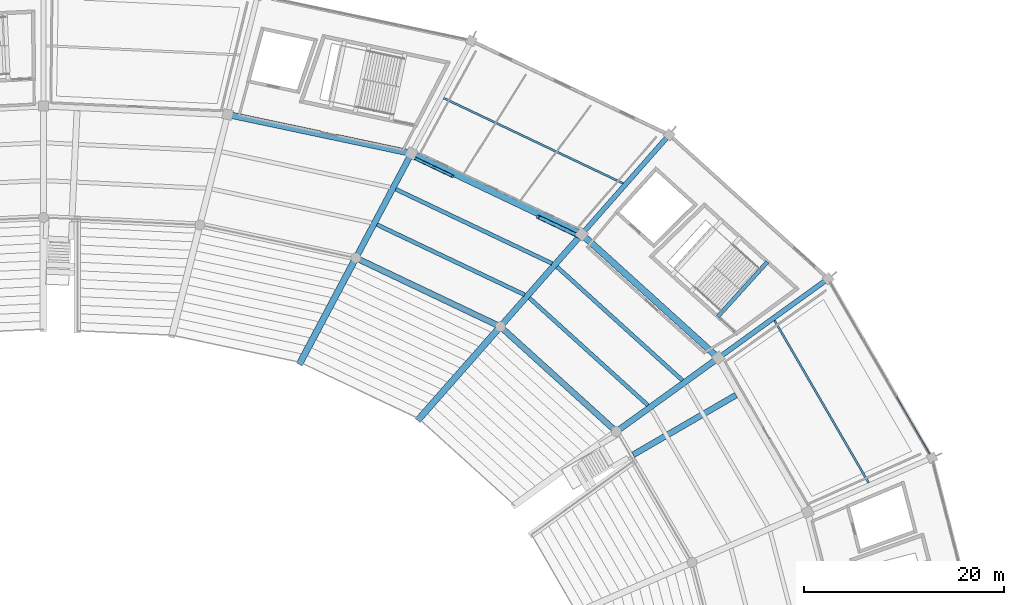
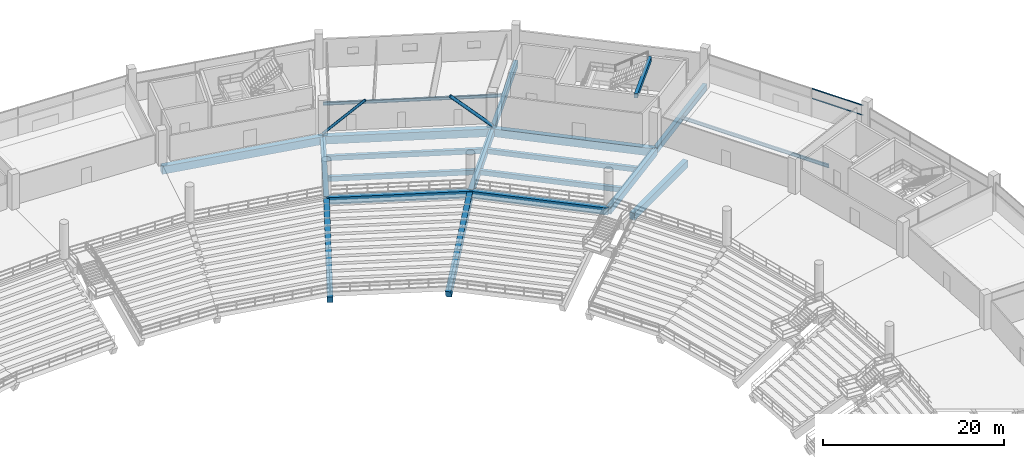
# One storey, part 88 of 156: 20 beams, 4 members, 1 element without a shape of its own.
"""IFC4 building model written with IfcOpenShell, lengths in metres."""

import ifcopenshell
import ifcopenshell.guid

model = None  # the IFC model being written
_history = None  # IfcOwnerHistory: only IFC2X3 demands one
_inside = {}  # id of a spatial element -> (the spatial element, [elements in it])
_under = {}  # id of a project, library or spatial element -> (it, [spatial elements below it])
_declared = {}  # id of a project -> (the project, [libraries it declares])
_typed = {}  # id of a type object -> (the type object, [elements of that type])
_made_of = {}  # id of a material, layer set ... -> (it, [elements and type objects made of it])


def new_model(schema):
    """Start an empty IFC model of exactly this schema.

    Asked for "IFC4X3", IfcOpenShell would pick the latest addendum, in which some entities
    have other attributes; the version numbers below select the first issue.
    IFC2X3 requires an IfcOwnerHistory on every rooted entity: one is made here for all.
    """
    global model, _history
    if schema == "IFC4X3":
        model = ifcopenshell.file(schema_version=(4, 3, 0, 0))
    else:
        model = ifcopenshell.file(schema=schema)
    _inside.clear()
    _under.clear()
    _declared.clear()
    _typed.clear()
    _made_of.clear()
    _history = None
    if model.schema == "IFC2X3":
        org = make("IfcOrganization", Name="unknown")
        user = make(
            "IfcPersonAndOrganization",
            ThePerson=make("IfcPerson", FamilyName="unknown"),
            TheOrganization=org,
        )
        app = make(
            "IfcApplication",
            ApplicationDeveloper=org,
            Version="unknown",
            ApplicationFullName="unknown",
            ApplicationIdentifier="unknown",
        )
        _history = make(
            "IfcOwnerHistory",
            OwningUser=user,
            OwningApplication=app,
            ChangeAction="ADDED",
            CreationDate=0,
        )
    return model


def make(cls, **values):
    """One entity of the class cls with the attributes given. An attribute that is None is left unset."""
    return model.create_entity(
        cls, **{name: value for name, value in values.items() if value is not None}
    )


def rooted(cls, **values):
    """An entity with a GlobalId (a new one), such as an element, a storey or a relation."""
    return make(cls, GlobalId=ifcopenshell.guid.new(), OwnerHistory=_history, **values)


def si_unit(unit_type, name, prefix=None):
    """IfcSIUnit, for example si_unit("LENGTHUNIT", "METRE", prefix="MILLI")."""
    return make("IfcSIUnit", UnitType=unit_type, Prefix=prefix, Name=name)


def assignment(units):
    """IfcUnitAssignment: the units of a project."""
    return None if units is None else make("IfcUnitAssignment", Units=units)


def point(xyz):
    """IfcCartesianPoint."""
    return None if xyz is None else make("IfcCartesianPoint", Coordinates=xyz)


def direction(xyz):
    """IfcDirection."""
    return None if xyz is None else make("IfcDirection", DirectionRatios=xyz)


def frame(location, z_axis=None, x_axis=None):
    """IfcAxis2Placement3D, a coordinate frame: its origin and axes. An axis left out is left unset."""
    return make(
        "IfcAxis2Placement3D",
        Location=point(location),
        Axis=direction(z_axis),
        RefDirection=direction(x_axis),
    )


def frame_2d(location, x_axis=None):
    """IfcAxis2Placement2D, a coordinate frame in the plane: its origin and x axis."""
    return make(
        "IfcAxis2Placement2D", Location=point(location), RefDirection=direction(x_axis)
    )


def origin():
    """The frame at (0, 0, 0) with its axes left unset."""
    return frame((0.0, 0.0, 0.0))


def origin_2d():
    """The frame at (0, 0) in the plane with its x axis left unset."""
    return frame_2d((0.0, 0.0))


def place(relative_to, where):
    """IfcLocalPlacement: puts the frame where relative to a parent placement (None: the world)."""
    return make(
        "IfcLocalPlacement", PlacementRelTo=relative_to, RelativePlacement=where
    )


def context(
    kind, dimensions, precision=None, world=None, true_north=None, identifier=None
):
    """IfcGeometricRepresentationContext, for example the 3D "Model" context."""
    return make(
        "IfcGeometricRepresentationContext",
        ContextIdentifier=identifier,
        ContextType=kind,
        CoordinateSpaceDimension=dimensions,
        Precision=precision,
        WorldCoordinateSystem=world,
        TrueNorth=true_north,
    )


def subcontext(parent, identifier, kind, view, scale=None):
    """IfcGeometricRepresentationSubContext, for example "Body" below "Model"."""
    return make(
        "IfcGeometricRepresentationSubContext",
        ContextIdentifier=identifier,
        ContextType=kind,
        ParentContext=parent,
        TargetScale=scale,
        TargetView=view,
    )


def project(units=None, contexts=None):
    """IfcProject with its units and contexts."""
    return rooted(
        "IfcProject",
        Name="project",
        RepresentationContexts=contexts,
        UnitsInContext=assignment(units),
    )


def spatial(cls, under=None, at=None, **own):
    """A site, building, storey or space (cls), placed at a placement, below another one or the project."""
    s = rooted(cls, ObjectPlacement=at, **own)
    if under is not None:
        _under.setdefault(under.id(), (under, []))[1].append(s)
    return s


def profile(cls, at=None, kind="AREA", **sizes):
    """A parametric profile (cls). Its sizes go by their IFC names, for example OverallWidth=200.0."""
    return make(cls, ProfileType=kind, Position=at, **sizes)


def rectangle(**sizes):
    """IfcRectangleProfileDef."""
    return profile("IfcRectangleProfileDef", **sizes)


def hollow_rectangle(**sizes):
    """IfcRectangleHollowProfileDef."""
    return profile("IfcRectangleHollowProfileDef", **sizes)


def hollow_circle(**sizes):
    """IfcCircleHollowProfileDef."""
    return profile("IfcCircleHollowProfileDef", **sizes)


def i_section(**sizes):
    """IfcIShapeProfileDef."""
    return profile("IfcIShapeProfileDef", **sizes)


def extrude(swept, where, along, depth):
    """IfcExtrudedAreaSolid: the profile swept, set in the frame where, extruded along a direction by depth."""
    return make(
        "IfcExtrudedAreaSolid",
        SweptArea=swept,
        Position=where,
        ExtrudedDirection=direction(along),
        Depth=depth,
    )


def shape(context_of_items, identifier, shape_type, items):
    """IfcShapeRepresentation: the items that make up one representation, for example the "Body"."""
    return make(
        "IfcShapeRepresentation",
        ContextOfItems=context_of_items,
        RepresentationIdentifier=identifier,
        RepresentationType=shape_type,
        Items=items,
    )


def material(Name=None, Category=None):
    """IfcMaterial."""
    return make("IfcMaterial", Name=Name, Category=Category)


def layer(
    of_material, thickness, ventilated=None, Name=None, Category=None, Priority=None
):
    """IfcMaterialLayer: one layer of a wall or slab, of a material (None: an air gap)."""
    return make(
        "IfcMaterialLayer",
        Material=of_material,
        LayerThickness=thickness,
        IsVentilated=ventilated,
        Name=Name,
        Category=Category,
        Priority=Priority,
    )


def layer_set(layers, Name=None):
    """IfcMaterialLayerSet."""
    return make("IfcMaterialLayerSet", MaterialLayers=layers, LayerSetName=Name)


def material_profile(
    of_material, cross_section, Name=None, Category=None, Priority=None
):
    """IfcMaterialProfile: a cross section and its material."""
    return make(
        "IfcMaterialProfile",
        Name=Name,
        Material=of_material,
        Profile=cross_section,
        Priority=Priority,
        Category=Category,
    )


def profile_set(profiles, Name=None, composite=None):
    """IfcMaterialProfileSet."""
    return make(
        "IfcMaterialProfileSet",
        Name=Name,
        MaterialProfiles=profiles,
        CompositeProfile=composite,
    )


def made_of(thing, what):
    """Note that an element or type object is made of a material, layer set ...; save() writes the relation."""
    if what is not None:
        _made_of.setdefault(what.id(), (what, []))[1].append(thing)
    return thing


def type_object(cls, material=None, **own):
    """A type object (cls), such as IfcWallType, which elements share."""
    return made_of(rooted(cls, **own), material)


def element(
    cls,
    number,
    at=None,
    inside=None,
    cuts=None,
    type_object=None,
    material=None,
    context=None,
    identifier="Body",
    shape_type=None,
    held_by="IfcProductDefinitionShape",
    body=None,
    shapes=None,
    **own,
):
    """One element of the class cls, such as IfcWall. Its Tag is "e" and its number.

    at: its placement. inside: the storey or other place that contains it. cuts: it is an
    opening in that element (IfcRelVoidsElement). A single representation is given by context,
    identifier, shape_type and body (its items); several are given by shapes. held_by: the class
    of the entity that holds the representations. save() writes the other relations.
    """
    e = rooted(cls, Tag="e%d" % number, ObjectPlacement=at, **own)
    if body is not None:
        shapes = [shape(context, identifier, shape_type, body)]
    if shapes is not None:
        e.Representation = make(held_by, Representations=shapes)
    if inside is not None:
        _inside.setdefault(inside.id(), (inside, []))[1].append(e)
    if cuts is not None:
        rooted(
            "IfcRelVoidsElement", RelatingBuildingElement=cuts, RelatedOpeningElement=e
        )
    if type_object is not None:
        _typed.setdefault(type_object.id(), (type_object, []))[1].append(e)
    return made_of(e, material)


def aggregate(whole, parts):
    """IfcRelAggregates: a whole, such as a stair, and the parts it consists of."""
    return rooted("IfcRelAggregates", RelatingObject=whole, RelatedObjects=parts)


def save(model, path):
    """Write the relations noted so far, then the file.

    IfcRelAggregates (storeys below a building ...), IfcRelContainedInSpatialStructure (elements
    in a storey), IfcRelDefinesByType, IfcRelAssociatesMaterial and IfcRelDeclares: one each for
    every whole, place, type object, material and project.
    """
    for whole, parts in _under.values():
        aggregate(whole, parts)
    for where, things in _inside.values():
        rooted(
            "IfcRelContainedInSpatialStructure",
            RelatedElements=things,
            RelatingStructure=where,
        )
    for kind, things in _typed.values():
        rooted("IfcRelDefinesByType", RelatedObjects=things, RelatingType=kind)
    for what, things in _made_of.values():
        rooted("IfcRelAssociatesMaterial", RelatedObjects=things, RelatingMaterial=what)
    for by, libraries in _declared.values():
        rooted("IfcRelDeclares", RelatingContext=by, RelatedDefinitions=libraries)
    model.write(path)


model = new_model("IFC4")

# Units and contexts
model_context = context("Model", 3, precision=1e-05, world=origin(), true_north=direction((0.0, 1.0)))
body_context = subcontext(model_context, "Body", "Model", "MODEL_VIEW")
ifc_project = project(units=[si_unit("LENGTHUNIT", "METRE"), si_unit("AREAUNIT", "SQUARE_METRE"), si_unit("VOLUMEUNIT", "CUBIC_METRE"), si_unit("PLANEANGLEUNIT", "RADIAN"), si_unit("MASSUNIT", "GRAM", prefix="KILO")], contexts=[model_context])

# Site, building, storey
site_placement = place(None, origin())
site = spatial("IfcSite", under=ifc_project, at=site_placement, CompositionType="ELEMENT")
building_placement = place(site_placement, origin())
building = spatial("IfcBuilding", under=site, at=building_placement, Name="Kazemori Nagisa Stadium", CompositionType="ELEMENT")
storey_placement = place(building_placement, frame((0.0, 0.0, 5.780029296875)))
storey = spatial("IfcBuildingStorey", under=building, at=storey_placement, Name="L01", CompositionType="ELEMENT", Elevation=5.780029296875)

# Beams
ifc_material_1 = material(Name="Concrete C40/50 (Fc42)", Category="concrete")
ifc_material_profile_1 = material_profile(ifc_material_1, rectangle(XDim=0.39990234375, YDim=0.60009765625, at=origin_2d()), Name="RC-BM-400x600")
ifc_profile_set_1 = profile_set([ifc_material_profile_1], Name="Concrete C40/50 (Fc42)")
beam_type_1 = type_object("IfcBeamType", Name="Beam_BG-LND400X600", PredefinedType="BEAM", material=ifc_profile_set_1)
beam_1_placement = place(storey_placement, frame((190.454345703125, 154.8681640625, 4.199951171875), z_axis=(0.671129682405, 0.741339968837, 0.0), x_axis=(-0.741339968837, 0.671129682405, 0.0)))
element("IfcBeam", 1, at=beam_1_placement, inside=storey, type_object=beam_type_1, Name="Core stair arrival header girder ST01-L01", PredefinedType="BEAM", context=body_context, shape_type="SweptSolid", body=[
    extrude(rectangle(XDim=0.39990234375, YDim=0.60009765625, at=origin_2d()), origin(), (0.0, 0.0, 1.0), 7.3857421875),
])
ifc_material_profile_2 = material_profile(ifc_material_1, rectangle(XDim=0.5, YDim=0.85009765625, at=origin_2d()), Name="RC-BM-500x850")
ifc_profile_set_2 = profile_set([ifc_material_profile_2], Name="Concrete C40/50 (Fc42)")
beam_type_2 = type_object("IfcBeamType", Name="Beam_BG-RC500X850", PredefinedType="BEAM", material=ifc_profile_set_2)
beam_2_placement = place(storey_placement, frame((190.506103515625, 150.734130859375, -0.705078125), z_axis=(0.810787509935, 0.585340596349, 0.0), x_axis=(-0.585340596349, 0.810787509935, 0.0)))
element("IfcBeam", 2, at=beam_2_placement, inside=storey, type_object=beam_type_2, Name="Radial girder BG-RC500X850 L01 R2-R3-04", PredefinedType="BEAM", context=body_context, shape_type="SweptSolid", body=[
    extrude(rectangle(XDim=0.5, YDim=0.85009765625, at=origin_2d()), origin(), (0.0, 0.0, 1.0), 13.5537109375),
])
beam_3_placement = place(storey_placement, frame((176.834228515625, 163.11083984375, -0.705078125), z_axis=(0.661019680997, 0.750368563664, 0.0), x_axis=(-0.750368563664, 0.661019680997, 0.0)))
element("IfcBeam", 3, at=beam_3_placement, inside=storey, type_object=beam_type_2, Name="Radial girder BG-RC500X850 L01 R2-R3-05", PredefinedType="BEAM", context=body_context, shape_type="SweptSolid", body=[
    extrude(rectangle(XDim=0.5, YDim=0.85009765625, at=origin_2d()), origin(), (0.0, 0.0, 1.0), 13.2578125),
])
ifc_material_profile_3 = material_profile(ifc_material_1, rectangle(XDim=0.60009765625, YDim=0.949951171875, at=origin_2d()), Name="RC-BM-600x950")
ifc_profile_set_3 = profile_set([ifc_material_profile_3], Name="Concrete C40/50 (Fc42)")
beam_type_3 = type_object("IfcBeamType", Name="Beam_BG-RC600X950", PredefinedType="BEAM", material=ifc_profile_set_3)
beam_4_placement = place(storey_placement, frame((180.301513671875, 143.367431640625, -0.755126953125), z_axis=(-0.741349160152, 0.6711195294, 0.0), x_axis=(-0.6711195294, -0.741349160152, 0.0)))
element("IfcBeam", 4, at=beam_4_placement, inside=storey, type_object=beam_type_3, Name="Ring girder BG-RC600X950 L01 R1-04", PredefinedType="BEAM", context=body_context, shape_type="SweptSolid", body=[
    extrude(rectangle(XDim=0.60009765625, YDim=0.949951171875, at=origin_2d()), origin(), (0.0, 0.0, 1.0), 15.65380859375),
])
beam_5_placement = place(storey_placement, frame((168.696533203125, 153.873046875, -0.755126953125), z_axis=(-0.903211989129, 0.429194714196, 0.0), x_axis=(-0.429194714196, -0.903211989129, 0.0)))
element("IfcBeam", 5, at=beam_5_placement, inside=storey, type_object=beam_type_3, Name="Ring girder BG-RC600X950 L01 R1-05", PredefinedType="BEAM", context=body_context, shape_type="SweptSolid", body=[
    extrude(rectangle(XDim=0.60009765625, YDim=0.949951171875, at=origin_2d()), origin(), (0.0, 0.0, 1.0), 15.997314453125),
])
beam_6_placement = place(storey_placement, frame((180.301513671875, 143.367431640625, -0.755126953125), z_axis=(0.810802996314, 0.585319144714, 0.0), x_axis=(-0.585319144714, 0.810802996314, 0.0)))
element("IfcBeam", 6, at=beam_6_placement, inside=storey, type_object=beam_type_3, Name="Radial girder BG-RC600X950 L01 R1-R2-04", PredefinedType="BEAM", context=body_context, shape_type="SweptSolid", body=[
    extrude(rectangle(XDim=0.60009765625, YDim=0.949951171875, at=origin_2d()), origin(), (0.0, 0.0, 1.0), 12.585693359375),
])
beam_7_placement = place(storey_placement, frame((168.696533203125, 153.873046875, -0.755126953125), z_axis=(0.66101406015, 0.75037351518, 0.0), x_axis=(-0.75037351518, 0.66101406015, 0.0)))
element("IfcBeam", 7, at=beam_7_placement, inside=storey, type_object=beam_type_3, Name="Radial girder BG-RC600X950 L01 R1-R2-05", PredefinedType="BEAM", context=body_context, shape_type="SweptSolid", body=[
    extrude(rectangle(XDim=0.60009765625, YDim=0.949951171875, at=origin_2d()), origin(), (0.0, 0.0, 1.0), 12.31103515625),
])
beam_8_placement = place(storey_placement, frame((154.24755859375, 160.739013671875, -0.755126953125), z_axis=(0.469646804203, 0.882854393036, 0.0), x_axis=(-0.882854393036, 0.469646804203, 0.0)))
element("IfcBeam", 8, at=beam_8_placement, inside=storey, type_object=beam_type_3, Name="Radial girder BG-RC600X950 L01 R1-R2-06", PredefinedType="BEAM", context=body_context, shape_type="SweptSolid", body=[
    extrude(rectangle(XDim=0.60009765625, YDim=0.949951171875, at=origin_2d()), origin(), (0.0, 0.0, 1.0), 11.84814453125),
])
beam_9_placement = place(storey_placement, frame((181.986328125, 141.0498046875, -0.755126953125), z_axis=(0.865098028011, 0.501602832859, 0.0), x_axis=(-0.501602832859, 0.865098028011, 0.0)))
element("IfcBeam", 9, at=beam_9_placement, inside=storey, type_object=beam_type_3, Name="Lower vomitory right backspan girder B03", PredefinedType="BEAM", context=body_context, shape_type="SweptSolid", body=[
    extrude(rectangle(XDim=0.60009765625, YDim=0.949951171875, at=origin_2d()), origin(), (0.0, 0.0, 1.0), 11.88818359375),
])
ifc_material_profile_4 = material_profile(ifc_material_1, rectangle(XDim=0.64990234375, YDim=1.050048828125, at=origin_2d()), Name="RC-BM-650x1050")
ifc_profile_set_4 = profile_set([ifc_material_profile_4], Name="Concrete C40/50 (Fc42)")
beam_type_4 = type_object("IfcBeamType", Name="Beam_BG-RC650X1050", PredefinedType="BEAM", material=ifc_profile_set_4)
beam_10_placement = place(storey_placement, frame((190.506103515625, 150.734130859375, -0.804931640625), z_axis=(-0.741349142139, 0.671119549298, 0.0), x_axis=(-0.671119549298, -0.741349142139, 0.0)))
element("IfcBeam", 10, at=beam_10_placement, inside=storey, type_object=beam_type_4, Name="Ring girder BG-RC650X1050 L01 R2-04", PredefinedType="BEAM", context=body_context, shape_type="SweptSolid", body=[
    extrude(rectangle(XDim=0.64990234375, YDim=1.050048828125, at=origin_2d()), origin(), (0.0, 0.0, 1.0), 18.44189453125),
])
beam_11_placement = place(storey_placement, frame((176.834228515625, 163.11083984375, -0.804931640625), z_axis=(-0.90321938295, 0.42917915404, 0.0), x_axis=(-0.42917915404, -0.90321938295, 0.0)))
element("IfcBeam", 11, at=beam_11_placement, inside=storey, type_object=beam_type_4, Name="Ring girder BG-RC650X1050 L01 R2-05", PredefinedType="BEAM", context=body_context, shape_type="SweptSolid", body=[
    extrude(rectangle(XDim=0.64990234375, YDim=1.050048828125, at=origin_2d()), origin(), (0.0, 0.0, 1.0), 18.84619140625),
])
beam_12_placement = place(storey_placement, frame((159.81201171875, 171.19921875, -0.804931640625), z_axis=(-0.978345149833, 0.206980114499, 0.0), x_axis=(-0.206980114499, -0.978345149833, 0.0)))
element("IfcBeam", 12, at=beam_12_placement, inside=storey, type_object=beam_type_4, Name="Ring girder BG-RC650X1050 L01 R2-06", PredefinedType="BEAM", context=body_context, shape_type="SweptSolid", body=[
    extrude(rectangle(XDim=0.64990234375, YDim=1.050048828125, at=origin_2d()), origin(), (0.0, 0.0, 1.0), 18.791259765625),
])
ifc_material_2 = material(Name="Steel SN490B", Category="steel")
ifc_material_profile_5 = material_profile(ifc_material_2, i_section(OverallWidth=0.199951171875, OverallDepth=0.449951171875, WebThickness=0.009033203125, FlangeThickness=0.013916015625, FilletRadius=0.012939453125, at=origin_2d()), Name="H-450x200x9x14")
ifc_profile_set_5 = profile_set([ifc_material_profile_5], Name="Steel SN490B")
beam_type_5 = type_object("IfcBeamType", Name="Beam_BJ-H450", PredefinedType="JOIST", material=ifc_profile_set_5)
beam_13_placement = place(storey_placement, frame((205.5400390625, 138.2490234375, -0.505126953125), z_axis=(-0.501610844533, 0.865093382616, 0.0), x_axis=(-0.865093382616, -0.501610844533, 0.0)))
element("IfcBeam", 13, at=beam_13_placement, inside=storey, type_object=beam_type_5, Name="Outer bay joist BJ-H450 L01 B03", PredefinedType="JOIST", context=body_context, shape_type="SweptSolid", body=[
    extrude(i_section(OverallWidth=0.199951171875, OverallDepth=0.449951171875, WebThickness=0.009033203125, FlangeThickness=0.013916015625, FilletRadius=0.012939453125, at=origin_2d()), origin(), (0.0, 0.0, 1.0), 18.7724609375),
])
beam_14_placement = place(storey_placement, frame((180.994873046875, 168.18994140625, -0.505126953125), z_axis=(-0.903215058486, 0.429188254876, 0.0), x_axis=(-0.429188254876, -0.903215058486, 0.0)))
element("IfcBeam", 14, at=beam_14_placement, inside=storey, type_object=beam_type_5, Name="Outer bay joist BJ-H450 L01 B05", PredefinedType="JOIST", context=body_context, shape_type="SweptSolid", body=[
    extrude(i_section(OverallWidth=0.199951171875, OverallDepth=0.449951171875, WebThickness=0.009033203125, FlangeThickness=0.013916015625, FilletRadius=0.012939453125, at=origin_2d()), origin(), (0.0, 0.0, 1.0), 19.89013671875),
])
ifc_material_profile_6 = material_profile(ifc_material_1, rectangle(XDim=0.39990234375, YDim=0.64990234375, at=origin_2d()), Name="RC-BM-400x650")
ifc_profile_set_6 = profile_set([ifc_material_profile_6], Name="Concrete C40/50 (Fc42)")
beam_type_6 = type_object("IfcBeamType", Name="Beam_BJ-RC400X650", PredefinedType="JOIST", material=ifc_profile_set_6)
beam_15_placement = place(storey_placement, frame((183.458251953125, 146.001953125, -0.60498046875), z_axis=(-0.741344716793, 0.671124437704, 0.0), x_axis=(-0.671124437704, -0.741344716793, 0.0)))
element("IfcBeam", 15, at=beam_15_placement, inside=storey, type_object=beam_type_6, Name="Concourse joist BJ-RC400X650 L01 B04-1", PredefinedType="JOIST", context=body_context, shape_type="SweptSolid", body=[
    extrude(rectangle(XDim=0.39990234375, YDim=0.64990234375, at=origin_2d()), origin(), (0.0, 0.0, 1.0), 15.986328125),
])
beam_16_placement = place(storey_placement, frame((186.912109375, 148.495361328125, -0.60498046875), z_axis=(-0.741349213887, 0.671119470041, 0.0), x_axis=(-0.671119470041, -0.741349213887, 0.0)))
element("IfcBeam", 16, at=beam_16_placement, inside=storey, type_object=beam_type_6, Name="Concourse joist BJ-RC400X650 L01 B04-2", PredefinedType="JOIST", context=body_context, shape_type="SweptSolid", body=[
    extrude(rectangle(XDim=0.39990234375, YDim=0.64990234375, at=origin_2d()), origin(), (0.0, 0.0, 1.0), 16.9296875),
])
beam_17_placement = place(storey_placement, frame((171.121826171875, 157.05517578125, -0.60498046875), z_axis=(-0.903215717065, 0.429186868912, 0.0), x_axis=(-0.429186868912, -0.903215717065, 0.0)))
element("IfcBeam", 17, at=beam_17_placement, inside=storey, type_object=beam_type_6, Name="Concourse joist BJ-RC400X650 L01 B05-1", PredefinedType="JOIST", context=body_context, shape_type="SweptSolid", body=[
    extrude(rectangle(XDim=0.39990234375, YDim=0.64990234375, at=origin_2d()), origin(), (0.0, 0.0, 1.0), 16.349609375),
])
beam_18_placement = place(storey_placement, frame((173.8759765625, 160.181884765625, -0.60498046875), z_axis=(-0.903215468459, 0.429187392099, 0.0), x_axis=(-0.429187392099, -0.903215468459, 0.0)))
element("IfcBeam", 18, at=beam_18_placement, inside=storey, type_object=beam_type_6, Name="Concourse joist BJ-RC400X650 L01 B05-2", PredefinedType="JOIST", context=body_context, shape_type="SweptSolid", body=[
    extrude(rectangle(XDim=0.39990234375, YDim=0.64990234375, at=origin_2d()), origin(), (0.0, 0.0, 1.0), 17.31396484375),
])
ifc_material_profile_7 = material_profile(ifc_material_1, rectangle(XDim=0.64990234375, YDim=1.10009765625, at=origin_2d()), Name="RC-RK-650x1100")
ifc_profile_set_7 = profile_set([ifc_material_profile_7], Name="Concrete C40/50 (Fc42)")
beam_type_7 = type_object("IfcBeamType", Name="Beam_RK-RC650X1100", PredefinedType="USERDEFINED", material=ifc_profile_set_7)
beam_19_placement = place(storey_placement, frame((160.558837890625, 144.635498046875, -5.97998046875), z_axis=(0.609816072316, 0.692236011287, 0.385919243653), x_axis=(-0.750364849943, 0.66102389667, 0.0)))
element("IfcBeam", 19, at=beam_19_placement, inside=storey, type_object=beam_type_7, Name="Raker beam lower RK1-05", ObjectType="RAKER BEAM", PredefinedType="USERDEFINED", context=body_context, shape_type="SweptSolid", body=[
    extrude(rectangle(XDim=0.64990234375, YDim=1.10009765625, at=origin_2d()), origin(), (0.0, 0.0, 1.0), 13.344482421875),
])
beam_20_placement = place(storey_placement, frame((148.682861328125, 150.278564453125, -5.97998046875), z_axis=(0.430727413965, 0.809676075056, 0.398620807712), x_axis=(-0.882850394325, 0.469654321007, 0.0)))
element("IfcBeam", 20, at=beam_20_placement, inside=storey, type_object=beam_type_7, Name="Raker beam lower RK1-06", ObjectType="RAKER BEAM", PredefinedType="USERDEFINED", context=body_context, shape_type="SweptSolid", body=[
    extrude(rectangle(XDim=0.64990234375, YDim=1.10009765625, at=origin_2d()), origin(), (0.0, 0.0, 1.0), 12.919189453125),
])

# Members
ifc_material_3 = material(Name="Steel STK490", Category="steel")
ifc_material_profile_8 = material_profile(ifc_material_3, hollow_circle(Radius=0.1591796875, WallThickness=0.01025390625, at=origin_2d()), Name="CHS-318.5x10.3")
ifc_profile_set_8 = profile_set([ifc_material_profile_8], Name="Steel STK490")
member_type_1 = type_object("IfcMemberType", Name="Member_TB-CHS318", PredefinedType="BRACE", material=ifc_profile_set_8)
member_1_placement = place(storey_placement, frame((159.683349609375, 170.92822265625, 0.14990234375), z_axis=(0.66997778581, -0.318326890143, 0.670669633675), x_axis=(0.429152995666, 0.903231812057, 0.0)))
element("IfcMember", 21, at=member_1_placement, inside=storey, type_object=member_type_1, Name="Seismic brace TB-CHS318 L01 B05-B", PredefinedType="BRACE", context=body_context, shape_type="SweptSolid", body=[
    extrude(hollow_circle(Radius=0.1591796875, WallThickness=0.01025390625, at=origin_2d()), origin(), (0.0, 0.0, 1.0), 6.351806640625),
])
ifc_material_profile_9 = material_profile(ifc_material_3, hollow_circle(Radius=0.203125, WallThickness=0.014404296875, at=origin_2d()), Name="CHS-406.4x14.3")
ifc_profile_set_9 = profile_set([ifc_material_profile_9], Name="Steel STK490")
member_type_2 = type_object("IfcMemberType", Name="Member_TB-CHS406", PredefinedType="BRACE", material=ifc_profile_set_9)
member_2_placement = place(storey_placement, frame((176.70556640625, 162.83984375, 0.14990234375), z_axis=(-0.66997778581, 0.318326890143, 0.670669633675), x_axis=(-0.429152995666, -0.903231812057, 0.0)))
element("IfcMember", 22, at=member_2_placement, inside=storey, type_object=member_type_2, Name="Seismic brace TB-CHS355 L01 B05-A", PredefinedType="BRACE", context=body_context, shape_type="SweptSolid", body=[
    extrude(hollow_circle(Radius=0.203125, WallThickness=0.014404296875, at=origin_2d()), origin(), (0.0, 0.0, 1.0), 6.351806640625),
])

# Curtain wall, members
ifc_material_4 = material(Name="Anodised aluminium 6063-T5", Category="aluminium")
ifc_layer = layer(ifc_material_4, 0.179931640625, Name="Anodised aluminium 6063-T5", Category="aluminium")
ifc_layer_set = layer_set([ifc_layer], Name="Anodised aluminium 6063-T5")
curtain_wall_type = type_object("IfcCurtainWallType", Name="CW_L01R3_99", PredefinedType="USERDEFINED", material=ifc_layer_set)
curtain_wall_placement = place(storey_placement, origin())
curtain_wall = element("IfcCurtainWall", 23, at=curtain_wall_placement, inside=storey, type_object=curtain_wall_type, Name="Unitised curtain wall CW-L01R3-99 L01", ObjectType="UNITISED CURTAIN WALL", PredefinedType="USERDEFINED")
ifc_material_5 = material(Name="Aluminium 6063-T5 anodised", Category="aluminium")
ifc_material_profile_10 = material_profile(ifc_material_5, hollow_rectangle(XDim=0.070068359375, YDim=0.139892578125, WallThickness=0.00390625, at=origin_2d()), Name="ALU-TRAN-70x140x4")
ifc_profile_set_10 = profile_set([ifc_material_profile_10], Name="Aluminium 6063-T5 anodised")
member_type_3 = type_object("IfcMemberType", Name="Transom_T01", PredefinedType="USERDEFINED", material=ifc_profile_set_10)
member_3_placement = place(storey_placement, frame((211.63671875, 141.177734375, 2.4638671875), z_axis=(-0.501634382126, 0.865079734284, 0.0), x_axis=(-0.865079734284, -0.501634382126, 0.0)))
member_3 = element("IfcMember", 24, at=member_3_placement, type_object=member_type_3, Name="Curtain wall transom CW-L01R3-99-T1-mid", ObjectType="TRANSOM", PredefinedType="USERDEFINED", context=body_context, shape_type="SweptSolid", body=[
    extrude(hollow_rectangle(XDim=0.070068359375, YDim=0.139892578125, WallThickness=0.00390625, at=origin_2d()), origin(), (0.0, 0.0, 1.0), 6.54736328125),
])
member_4_placement = place(storey_placement, frame((211.63671875, 141.177734375, 3.780029296875), z_axis=(-0.501634382126, 0.865079734284, 0.0), x_axis=(-0.865079734284, -0.501634382126, 0.0)))
member_4 = element("IfcMember", 25, at=member_4_placement, type_object=member_type_3, Name="Curtain wall transom CW-L01R3-99-T1-head", ObjectType="TRANSOM", PredefinedType="USERDEFINED", context=body_context, shape_type="SweptSolid", body=[
    extrude(hollow_rectangle(XDim=0.070068359375, YDim=0.139892578125, WallThickness=0.00390625, at=origin_2d()), origin(), (0.0, 0.0, 1.0), 6.54736328125),
])
aggregate(curtain_wall, [member_3, member_4])

save(model, "model.ifc")
